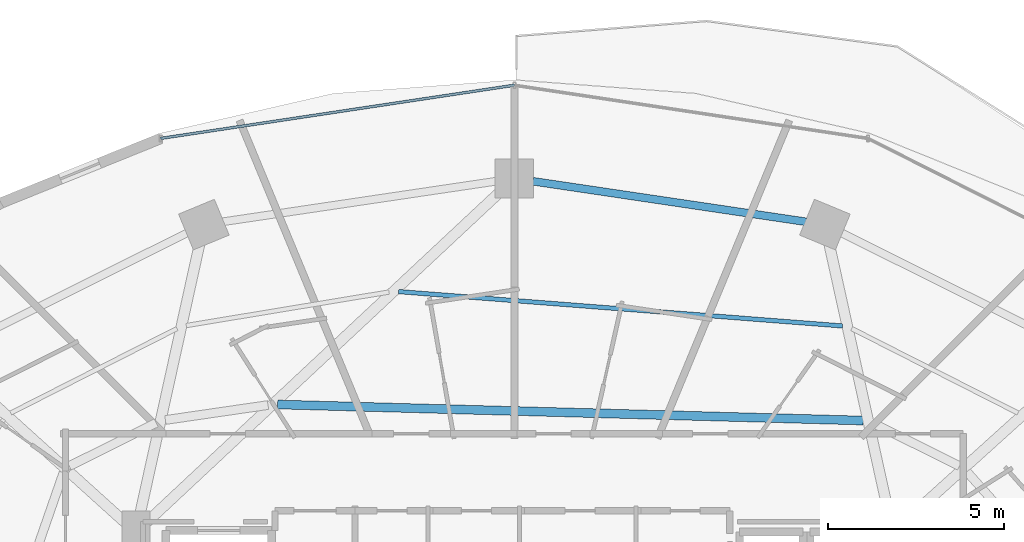
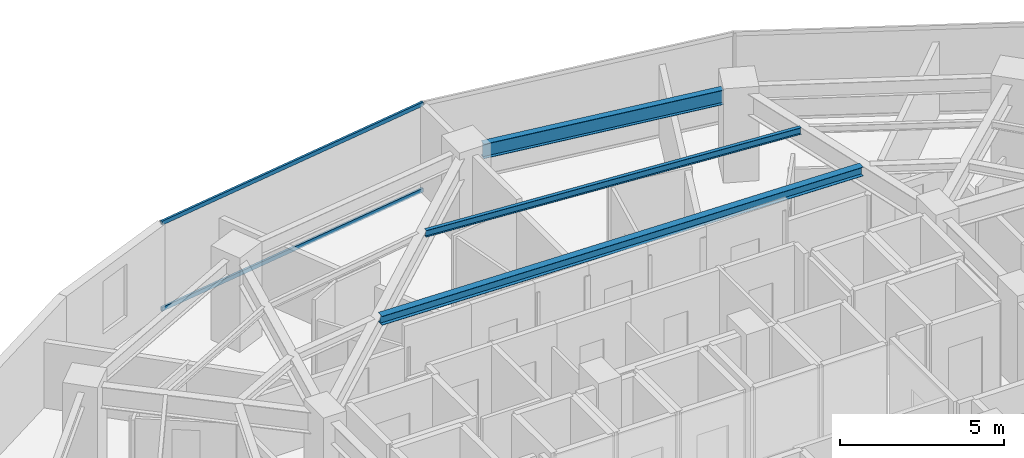
# One storey, part 20 of 31: 3 beams, 2 members, 1 element without a shape of its own.
"""IFC4 building model written with IfcOpenShell, lengths in metres."""

from ifc_helpers import new_model, si_unit, direction, frame, origin, origin_2d, place, context, subcontext, project, spatial, hollow_rectangle, i_section, extrude, material, material_profile, profile_set, type_object, element, aggregate, save


model = new_model("IFC4")

# Units and contexts
model_context = context("Model", 3, precision=1e-05, world=origin(), true_north=direction((0.0, 1.0)))
body_context = subcontext(model_context, "Body", "Model", "MODEL_VIEW")
ifc_project = project(units=[si_unit("LENGTHUNIT", "METRE"), si_unit("AREAUNIT", "SQUARE_METRE"), si_unit("VOLUMEUNIT", "CUBIC_METRE"), si_unit("PLANEANGLEUNIT", "RADIAN"), si_unit("MASSUNIT", "GRAM", prefix="KILO")], contexts=[model_context])

# Site, building, storey
site_placement = place(None, origin())
site = spatial("IfcSite", under=ifc_project, at=site_placement, CompositionType="ELEMENT")
building_placement = place(site_placement, origin())
building = spatial("IfcBuilding", under=site, at=building_placement, Name="Vorneva Point Tower", CompositionType="ELEMENT")
storey_placement = place(building_placement, frame((0.0, 0.0, 99.800048828125)))
storey = spatial("IfcBuildingStorey", under=building, at=storey_placement, Name="L26", CompositionType="ELEMENT", Elevation=99.800048828125)

# Beams
ifc_material_1 = material(Name="Steel S355", Category="steel")
ifc_material_profile_1 = material_profile(ifc_material_1, i_section(OverallWidth=0.1240234375, OverallDepth=0.248046875, WebThickness=0.0048828125, FlangeThickness=0.008056640625, at=origin_2d()), Name="25B1")
ifc_profile_set_1 = profile_set([ifc_material_profile_1], Name="Steel S355")
beam_type_1 = type_object("IfcBeamType", Name="BM-JST-25B1", PredefinedType="JOIST", material=ifc_profile_set_1)
beam_1_placement = place(storey_placement, frame((47.3212890625, 39.010986328125, 3.115966796875), z_axis=(-0.997018836162, 0.077158540275, 0.0), x_axis=(-0.077158540275, -0.997018836162, 0.0)))
element("IfcBeam", 1, at=beam_1_placement, inside=storey, type_object=beam_type_1, Name="L26 Secondary Floor Beam 1.04", PredefinedType="JOIST", context=body_context, shape_type="SweptSolid", body=[
    extrude(i_section(OverallWidth=0.1240234375, OverallDepth=0.248046875, WebThickness=0.0048828125, FlangeThickness=0.008056640625, at=origin_2d()), origin(), (0.0, 0.0, 1.0), 12.64697265625),
])
ifc_material_profile_2 = material_profile(ifc_material_1, i_section(OverallWidth=0.2490234375, OverallDepth=0.333984375, WebThickness=0.008056640625, FlangeThickness=0.010986328125, at=origin_2d()), Name="35Sh1")
ifc_profile_set_2 = profile_set([ifc_material_profile_2], Name="Steel S355")
beam_type_2 = type_object("IfcBeamType", Name="BM-SEC-35Sh1", PredefinedType="BEAM", material=ifc_profile_set_2)
beam_2_placement = place(storey_placement, frame((47.912353515625, 36.32373046875, 3.072998046875), z_axis=(-0.999623292618, 0.027445816722, 0.0), x_axis=(-0.027445816722, -0.999623292618, 0.0)))
element("IfcBeam", 2, at=beam_2_placement, inside=storey, type_object=beam_type_2, Name="L26 Secondary Floor Beam 2.04", PredefinedType="BEAM", context=body_context, shape_type="SweptSolid", body=[
    extrude(i_section(OverallWidth=0.2490234375, OverallDepth=0.333984375, WebThickness=0.008056640625, FlangeThickness=0.010986328125, at=origin_2d()), origin(), (0.0, 0.0, 1.0), 16.643310546875),
])
ifc_material_profile_3 = material_profile(ifc_material_1, i_section(OverallWidth=0.219970703125, OverallDepth=0.54296875, WebThickness=0.009521484375, FlangeThickness=0.013427734375, at=origin_2d()), Name="55B1")
ifc_profile_set_3 = profile_set([ifc_material_profile_3], Name="Steel S355")
beam_type_3 = type_object("IfcBeamType", Name="BM-SPN-55B1", PredefinedType="SPANDREL", material=ifc_profile_set_3)
beam_3_placement = place(storey_placement, frame((46.291748046875, 41.96923828125, 2.968505859375), z_axis=(-0.989164507783, 0.146811363806, 0.0), x_axis=(-0.146811363806, -0.989164507783, 0.0)))
element("IfcBeam", 3, at=beam_3_placement, inside=storey, type_object=beam_type_3, Name="L26 Perimeter Spandrel Ring Beam 04", PredefinedType="SPANDREL", context=body_context, shape_type="SweptSolid", body=[
    extrude(i_section(OverallWidth=0.219970703125, OverallDepth=0.54296875, WebThickness=0.009521484375, FlangeThickness=0.013427734375, at=origin_2d()), origin(), (0.0, 0.0, 1.0), 7.847412109375),
])

# Curtain wall, members
ifc_material_2 = material(Name="Pale anodised aluminium", Category="aluminium")
curtain_wall_type = type_object("IfcCurtainWallType", Name="CW-HTL-SYS", PredefinedType="NOTDEFINED", material=ifc_material_2)
curtain_wall_placement = place(storey_placement, origin())
curtain_wall = element("IfcCurtainWall", 4, at=curtain_wall_placement, inside=storey, type_object=curtain_wall_type, Name="L26 Unitised Curtain Wall CW-L26-R02", PredefinedType="NOTDEFINED")
ifc_material_profile_4 = material_profile(ifc_material_2, hollow_rectangle(XDim=0.074951171875, YDim=0.14990234375, WallThickness=0.00390625, at=origin_2d()), Name="AL-TRN 150x75x4")
ifc_profile_set_4 = profile_set([ifc_material_profile_4], Name="Pale anodised aluminium")
member_type = type_object("IfcMemberType", Name="CW-TRN-150", PredefinedType="USERDEFINED", material=ifc_profile_set_4)
member_1_placement = place(storey_placement, frame((38.0, 45.85009765625, 0.02001953125), z_axis=(-0.988875982167, -0.148742367512, 0.0), x_axis=(0.148742367512, -0.988875982167, 0.0)))
member_1 = element("IfcMember", 5, at=member_1_placement, type_object=member_type, Name="CW-L26-R02 Transom 03.1", ObjectType="TRANSOM", PredefinedType="USERDEFINED", context=body_context, shape_type="SweptSolid", body=[
    extrude(hollow_rectangle(XDim=0.074951171875, YDim=0.14990234375, WallThickness=0.00390625, at=origin_2d()), origin(), (0.0, 0.0, 1.0), 10.158447265625),
])
member_2_placement = place(storey_placement, frame((38.0, 45.85009765625, 3.219970703125), z_axis=(-0.988875982167, -0.148742367512, 0.0), x_axis=(0.148742367512, -0.988875982167, 0.0)))
member_2 = element("IfcMember", 6, at=member_2_placement, type_object=member_type, Name="CW-L26-R02 Transom 03.2", ObjectType="TRANSOM", PredefinedType="USERDEFINED", context=body_context, shape_type="SweptSolid", body=[
    extrude(hollow_rectangle(XDim=0.074951171875, YDim=0.14990234375, WallThickness=0.00390625, at=origin_2d()), origin(), (0.0, 0.0, 1.0), 10.158447265625),
])
aggregate(curtain_wall, [member_1, member_2])

save(model, "model.ifc")
